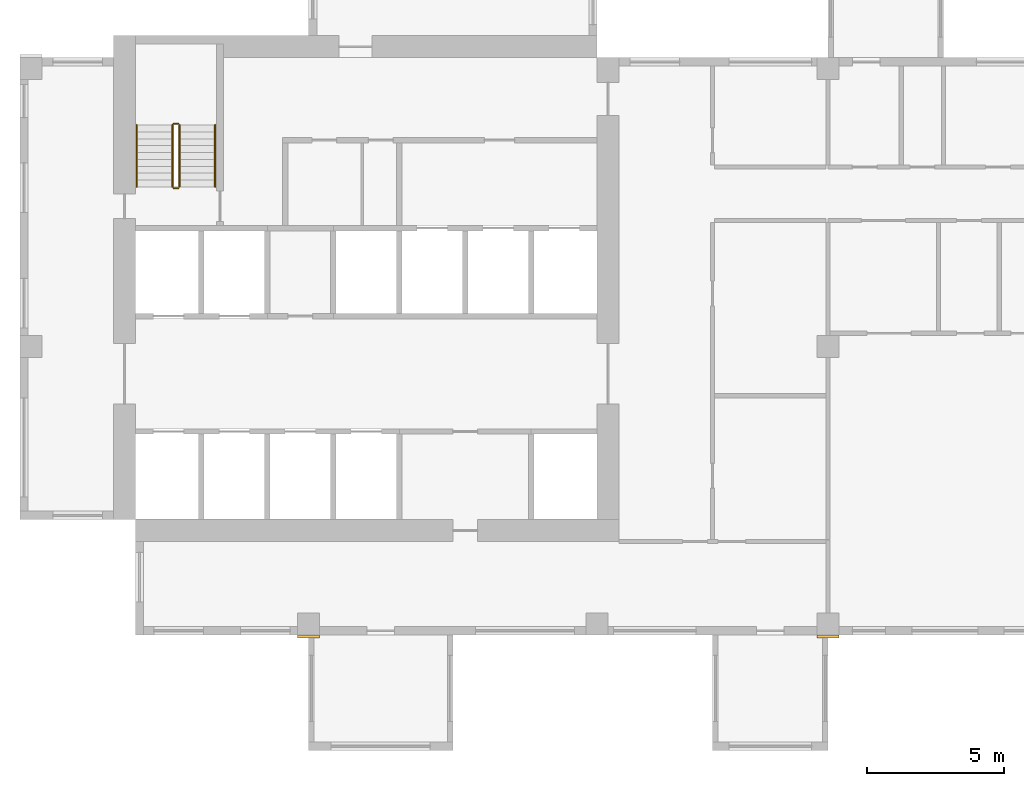
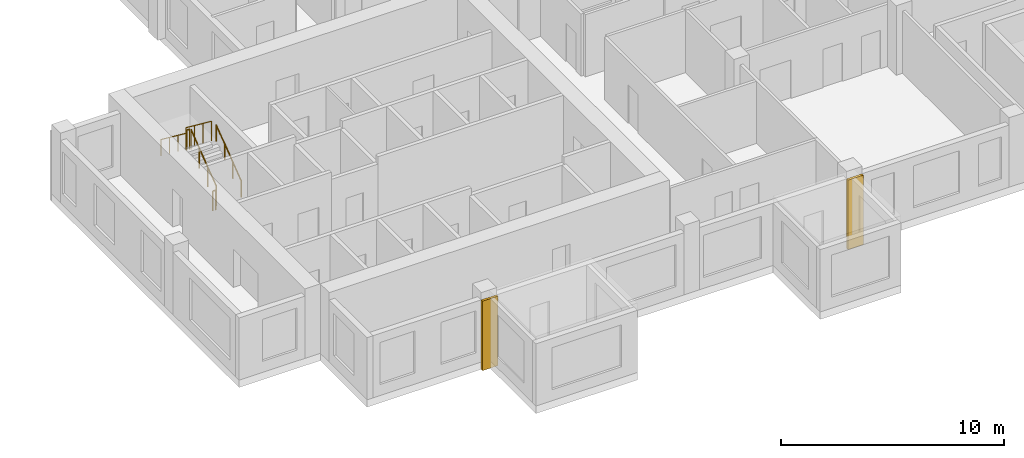
# One storey, part 9 of 12: 6 railings, 2 coverings.
"""IFC4 building model written with IfcOpenShell, lengths in metres."""

from ifc_helpers import new_model, si_unit, direction, frame, origin, origin_2d, place, context, subcontext, project, spatial, rectangle, circle, extrude, source, transform, mapped, material, type_object, element, save


model = new_model("IFC4")

# Units and contexts
model_context = context("Model", 3, precision=1e-05, world=origin(), true_north=direction((0.0, 1.0)))
body_context = subcontext(model_context, "Body", "Model", "MODEL_VIEW")
ifc_project = project(units=[si_unit("LENGTHUNIT", "METRE"), si_unit("AREAUNIT", "SQUARE_METRE"), si_unit("VOLUMEUNIT", "CUBIC_METRE"), si_unit("PLANEANGLEUNIT", "RADIAN"), si_unit("MASSUNIT", "GRAM", prefix="KILO")], contexts=[model_context])

# Site, building, storey
site_placement = place(None, origin())
site = spatial("IfcSite", under=ifc_project, at=site_placement, CompositionType="ELEMENT")
building_placement = place(site_placement, origin())
building = spatial("IfcBuilding", under=site, at=building_placement, Name="Aurelian Terraces", CompositionType="ELEMENT")
storey_placement = place(building_placement, frame((0.0, 0.0, 234.8)))
storey = spatial("IfcBuildingStorey", under=building, at=storey_placement, Name="L53", CompositionType="ELEMENT", Elevation=234.8)

# Coverings
ifc_material_1 = material(Name="Terracotta rainscreen cladding relief", Category="masonry")
covering_type = type_object("IfcCoveringType", Name="BAGUETTE-TC", PredefinedType="CLADDING", material=ifc_material_1)
shared_shape_1 = source(origin(), body_context, "Body", "SweptSolid", [
    extrude(rectangle(XDim=0.8, YDim=0.12, at=origin_2d()), origin(), (0.0, 0.0, 1.0), 3.8),
])
for number, where, z_axis, x_axis, name in (
    (1, (10.5, -0.06, -0.4), (0.0, 0.0, 1.0), (1.0, 0.0, 0.0), "BAGUETTE pier L53 1"),
    (2, (29.4, -0.06, -0.4), (0.0, 0.0, 1.0), (1.0, 0.0, 0.0), "BAGUETTE pier L53 2"),
):
    element("IfcCovering", number, at=place(storey_placement, frame(where, z_axis=z_axis, x_axis=x_axis)), inside=storey, type_object=covering_type, Name=name, PredefinedType="CLADDING", context=body_context, shape_type="MappedRepresentation", body=[
        mapped(shared_shape_1, transform((0.0, 0.0, 0.0), scale=1.0)),
    ])

# Railings
ifc_material_2 = material(Name="Stainless steel", Category="steel")
railing_type_1 = type_object("IfcRailingType", Name="Stair guard 1100", PredefinedType="GUARDRAIL", material=ifc_material_2)
shared_shape_2 = source(origin(), body_context, "Body", "SweptSolid", [
    extrude(circle(Radius=0.024, at=origin_2d()), frame((0.0, 0.0, 1.076), z_axis=(-1.0, 0.0, 0.0), x_axis=(0.0, -1.0, 0.0)), (0.0, 0.0, 1.0), 0.15),
    extrude(circle(Radius=0.021, at=origin_2d()), origin(), (0.0, 0.0, 1.0), 1.052),
    extrude(circle(Radius=0.021, at=origin_2d()), frame((-0.15, 0.0, 0.0)), (0.0, 0.0, 1.0), 1.052),
])
for number, where, name in (
    (3, (5.75, 18.6, 1.9), "L53 S1 stair guard 2"),
    (4, (5.75, 16.25, 0.0), "L53 S1 stair guard 4"),
):
    element("IfcRailing", number, at=place(storey_placement, frame(where)), inside=storey, type_object=railing_type_1, Name=name, PredefinedType="GUARDRAIL", context=body_context, shape_type="MappedRepresentation", body=[
        mapped(shared_shape_2, transform((0.0, 0.0, 0.0), scale=1.0)),
    ])
shared_shape_3 = source(origin(), body_context, "Body", "SweptSolid", [
    extrude(circle(Radius=0.024, at=origin_2d()), frame((0.0, 0.0, 1.076), z_axis=(0.0, 0.796162194123, 0.605083267534), x_axis=(-1.0, 0.0, 0.0)), (0.0, 0.0, 1.0), 2.8261),
    extrude(circle(Radius=0.021, at=origin_2d()), origin(), (0.0, 0.0, 1.0), 1.052),
    extrude(circle(Radius=0.021, at=origin_2d()), frame((0.0, 0.75, 0.57)), (0.0, 0.0, 1.0), 1.052),
    extrude(circle(Radius=0.021, at=origin_2d()), frame((0.0, 1.5, 1.14)), (0.0, 0.0, 1.0), 1.052),
    extrude(circle(Radius=0.021, at=origin_2d()), frame((0.0, 2.25, 1.71)), (0.0, 0.0, 1.0), 1.052),
])
railing_1_placement = place(storey_placement, frame((5.8, 16.3, 0.19)))
element("IfcRailing", 5, at=railing_1_placement, inside=storey, type_object=railing_type_1, Name="L53 S1 stair guard 1", PredefinedType="GUARDRAIL", context=body_context, shape_type="MappedRepresentation", body=[
    mapped(shared_shape_3, transform((0.0, 0.0, 0.0), scale=1.0)),
])
shared_shape_4 = source(origin(), body_context, "Body", "SweptSolid", [
    extrude(circle(Radius=0.024, at=origin_2d()), frame((0.0, 0.0, 1.076), z_axis=(0.0, -0.796162194123, 0.605083267534), x_axis=(1.0, 0.0, 0.0)), (0.0, 0.0, 1.0), 2.8261),
    extrude(circle(Radius=0.021, at=origin_2d()), origin(), (0.0, 0.0, 1.0), 1.052),
    extrude(circle(Radius=0.021, at=origin_2d()), frame((0.0, -0.75, 0.57)), (0.0, 0.0, 1.0), 1.052),
    extrude(circle(Radius=0.021, at=origin_2d()), frame((0.0, -1.5, 1.14)), (0.0, 0.0, 1.0), 1.052),
    extrude(circle(Radius=0.021, at=origin_2d()), frame((0.0, -2.25, 1.71)), (0.0, 0.0, 1.0), 1.052),
])
railing_2_placement = place(storey_placement, frame((5.55, 18.55, 2.09)))
element("IfcRailing", 6, at=railing_2_placement, inside=storey, type_object=railing_type_1, Name="L53 S1 stair guard 3", PredefinedType="GUARDRAIL", context=body_context, shape_type="MappedRepresentation", body=[
    mapped(shared_shape_4, transform((0.0, 0.0, 0.0), scale=1.0)),
])
railing_type_2 = type_object("IfcRailingType", Name="Stair handrail", PredefinedType="HANDRAIL", material=ifc_material_2)
shared_shape_5 = source(origin(), body_context, "Body", "SweptSolid", [
    extrude(circle(Radius=0.024, at=origin_2d()), frame((0.0, 0.0, 0.876), z_axis=(0.0, 0.796162194123, 0.605083267534), x_axis=(-1.0, 0.0, 0.0)), (0.0, 0.0, 1.0), 2.8261),
    extrude(circle(Radius=0.021, at=origin_2d()), origin(), (0.0, 0.0, 1.0), 0.852),
    extrude(circle(Radius=0.021, at=origin_2d()), frame((0.0, 0.75, 0.57)), (0.0, 0.0, 1.0), 0.852),
    extrude(circle(Radius=0.021, at=origin_2d()), frame((0.0, 1.5, 1.14)), (0.0, 0.0, 1.0), 0.852),
    extrude(circle(Radius=0.021, at=origin_2d()), frame((0.0, 2.25, 1.71)), (0.0, 0.0, 1.0), 0.852),
])
railing_3_placement = place(storey_placement, frame((7.1, 16.3, 0.19)))
element("IfcRailing", 7, at=railing_3_placement, inside=storey, type_object=railing_type_2, Name="L53 S1 stair handrail 1", PredefinedType="HANDRAIL", context=body_context, shape_type="MappedRepresentation", body=[
    mapped(shared_shape_5, transform((0.0, 0.0, 0.0), scale=1.0)),
])
shared_shape_6 = source(origin(), body_context, "Body", "SweptSolid", [
    extrude(circle(Radius=0.024, at=origin_2d()), frame((0.0, 0.0, 0.876), z_axis=(0.0, -0.796162194123, 0.605083267534), x_axis=(1.0, 0.0, 0.0)), (0.0, 0.0, 1.0), 2.8261),
    extrude(circle(Radius=0.021, at=origin_2d()), origin(), (0.0, 0.0, 1.0), 0.852),
    extrude(circle(Radius=0.021, at=origin_2d()), frame((0.0, -0.75, 0.57)), (0.0, 0.0, 1.0), 0.852),
    extrude(circle(Radius=0.021, at=origin_2d()), frame((0.0, -1.5, 1.14)), (0.0, 0.0, 1.0), 0.852),
    extrude(circle(Radius=0.021, at=origin_2d()), frame((0.0, -2.25, 1.71)), (0.0, 0.0, 1.0), 0.852),
])
railing_4_placement = place(storey_placement, frame((4.25, 18.55, 2.09)))
element("IfcRailing", 8, at=railing_4_placement, inside=storey, type_object=railing_type_2, Name="L53 S1 stair handrail 2", PredefinedType="HANDRAIL", context=body_context, shape_type="MappedRepresentation", body=[
    mapped(shared_shape_6, transform((0.0, 0.0, 0.0), scale=1.0)),
])

save(model, "model.ifc")
